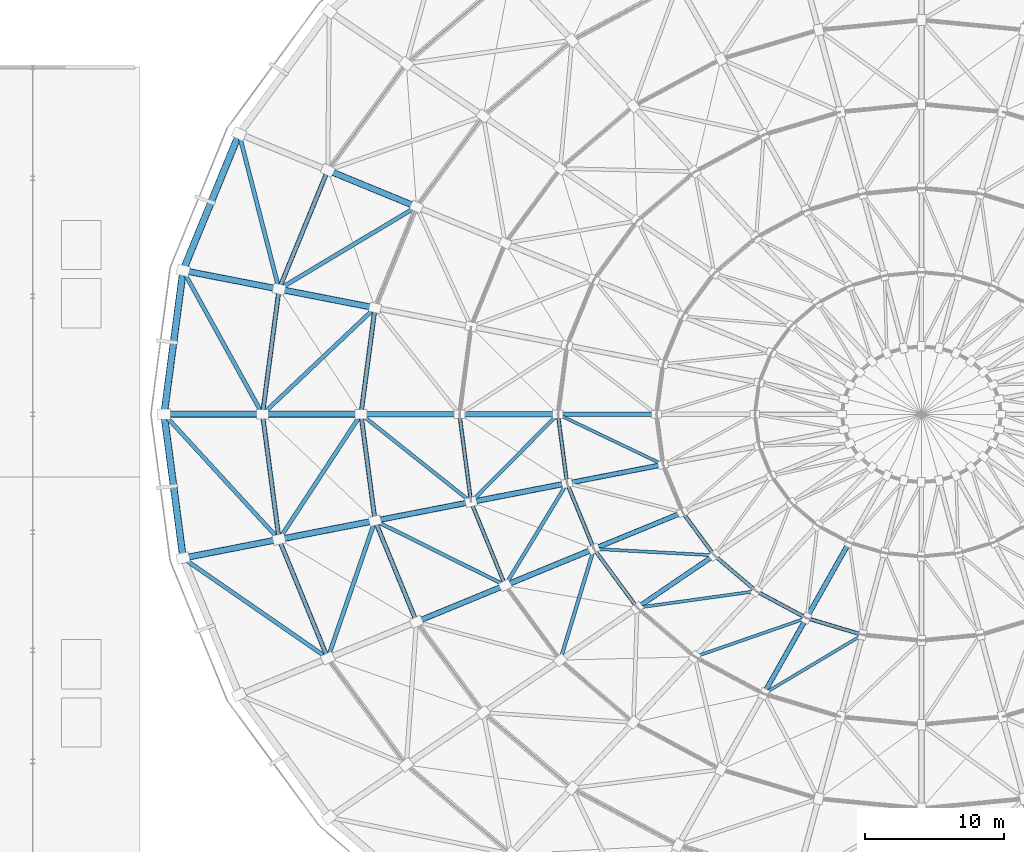
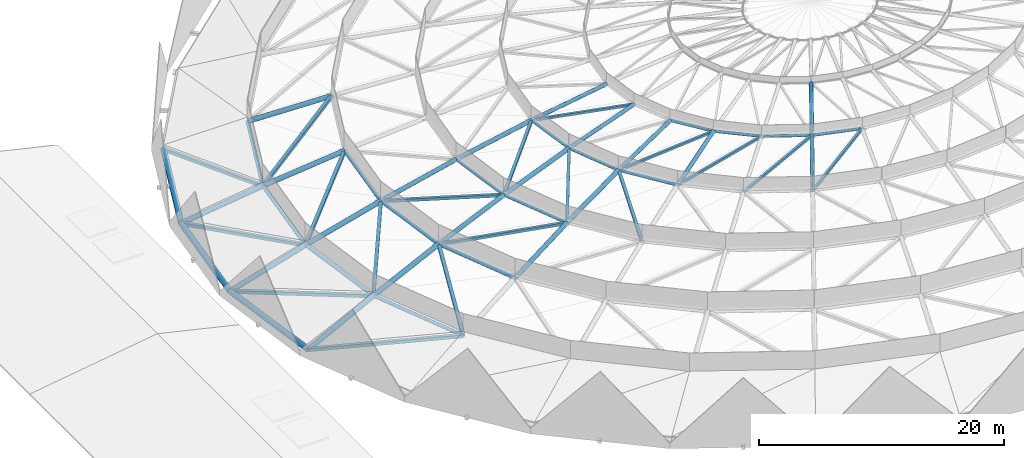
# One storey, part 6 of 27: 53 members, 3 beams.
"""IFC4 building model written with IfcOpenShell, lengths in metres."""

from ifc_helpers import new_model, si_unit, direction, frame, origin, origin_2d, place, context, subcontext, project, spatial, hollow_rectangle, hollow_circle, extrude, material, material_profile, profile_set, type_object, element, save


model = new_model("IFC4")

# Units and contexts
model_context = context("Model", 3, precision=1e-05, world=origin(), true_north=direction((0.0, 1.0)))
body_context = subcontext(model_context, "Body", "Model", "MODEL_VIEW")
ifc_project = project(units=[si_unit("LENGTHUNIT", "METRE"), si_unit("AREAUNIT", "SQUARE_METRE"), si_unit("VOLUMEUNIT", "CUBIC_METRE"), si_unit("PLANEANGLEUNIT", "RADIAN"), si_unit("MASSUNIT", "GRAM", prefix="KILO")], contexts=[model_context])

# Site, building, storey
site_placement = place(None, origin())
site = spatial("IfcSite", under=ifc_project, at=site_placement, CompositionType="ELEMENT")
building_placement = place(site_placement, origin())
building = spatial("IfcBuilding", under=site, at=building_placement, Name="Cuetzalor Civic Arena", CompositionType="ELEMENT")
storey_placement = place(building_placement, frame((0.0, 0.0, 31.800048828125)))
storey = spatial("IfcBuildingStorey", under=building, at=storey_placement, Name="Roof", CompositionType="ELEMENT", Elevation=31.800048828125)

# Members
ifc_material_1 = material(Name="Steel S355J2H", Category="steel")
ifc_material_profile_1 = material_profile(ifc_material_1, hollow_circle(Radius=0.136474609375, WallThickness=0.010009765625, at=origin_2d()), Name="CHS 273x10")
ifc_profile_set_1 = profile_set([ifc_material_profile_1], Name="Steel S355J2H")
member_type_1 = type_object("IfcMemberType", Name="DomeAnnularChord_CHS273", PredefinedType="CHORD", material=ifc_profile_set_1)
member_1_placement = place(storey_placement, frame((-33.275146484375, -0.001953125, 5.66650390625), z_axis=(0.130895721038, -0.99139614192, 0.0), x_axis=(0.99139614192, 0.130895721038, 0.0)))
element("IfcMember", 1, at=member_1_placement, inside=storey, type_object=member_type_1, Name="Dome Roof Truss Annular Ring Chord R3-S15", PredefinedType="CHORD", context=body_context, shape_type="SweptSolid", body=[
    extrude(hollow_circle(Radius=0.136474609375, WallThickness=0.010009765625, at=origin_2d()), origin(), (0.0, 0.0, 1.0), 6.369384765625),
])
member_2_placement = place(storey_placement, frame((-32.4404296875, -6.320556640625, 5.66650390625), z_axis=(0.379402610444, -0.925231678656, 0.0), x_axis=(0.925231678656, 0.379402610444, 0.0)))
element("IfcMember", 2, at=member_2_placement, inside=storey, type_object=member_type_1, Name="Dome Roof Truss Annular Ring Chord R3-S16", PredefinedType="CHORD", context=body_context, shape_type="SweptSolid", body=[
    extrude(hollow_circle(Radius=0.136474609375, WallThickness=0.010009765625, at=origin_2d()), origin(), (0.0, 0.0, 1.0), 6.482421875),
])
member_3_placement = place(storey_placement, frame((-26.18359375, -0.001953125, 7.077392578125), z_axis=(0.130861572844, -0.991400649966, 0.0), x_axis=(0.991400649966, 0.130861572844, 0.0)))
element("IfcMember", 3, at=member_3_placement, inside=storey, type_object=member_type_1, Name="Dome Roof Truss Annular Ring Chord R4-S15", PredefinedType="CHORD", context=body_context, shape_type="SweptSolid", body=[
    extrude(hollow_circle(Radius=0.136474609375, WallThickness=0.010009765625, at=origin_2d()), origin(), (0.0, 0.0, 1.0), 5.01123046875),
])
member_4_placement = place(storey_placement, frame((-25.526611328125, -4.973876953125, 7.077392578125), z_axis=(0.379357788908, -0.925250057009, 0.0), x_axis=(0.925250057009, 0.379357788908, 0.0)))
element("IfcMember", 4, at=member_4_placement, inside=storey, type_object=member_type_1, Name="Dome Roof Truss Annular Ring Chord R4-S16", PredefinedType="CHORD", context=body_context, shape_type="SweptSolid", body=[
    extrude(hollow_circle(Radius=0.136474609375, WallThickness=0.010009765625, at=origin_2d()), origin(), (0.0, 0.0, 1.0), 5.100341796875),
])
member_5_placement = place(storey_placement, frame((-23.58984375, -9.6962890625, 7.077392578125), z_axis=(0.592932877776, -0.805251887581, 0.0), x_axis=(0.805251887581, 0.592932877776, 0.0)))
element("IfcMember", 5, at=member_5_placement, inside=storey, type_object=member_type_1, Name="Dome Roof Truss Annular Ring Chord R4-S17", PredefinedType="CHORD", context=body_context, shape_type="SweptSolid", body=[
    extrude(hollow_circle(Radius=0.136474609375, WallThickness=0.010009765625, at=origin_2d()), origin(), (0.0, 0.0, 1.0), 5.25732421875),
])
member_6_placement = place(storey_placement, frame((-17.200439453125, -7.07080078125, 8.21044921875), z_axis=(0.592953433432, -0.805236751385, 0.0), x_axis=(0.805236751385, 0.592953433432, 0.0)))
element("IfcMember", 6, at=member_6_placement, inside=storey, type_object=member_type_1, Name="Dome Roof Truss Annular Ring Chord R5-S17", PredefinedType="CHORD", context=body_context, shape_type="SweptSolid", body=[
    extrude(hollow_circle(Radius=0.136474609375, WallThickness=0.010009765625, at=origin_2d()), origin(), (0.0, 0.0, 1.0), 3.83203125),
])
member_7_placement = place(storey_placement, frame((-14.925537109375, -10.159423828125, 8.21044921875), z_axis=(0.760648184235, -0.649164339609, 0.0), x_axis=(0.649164339609, 0.760648184235, 0.0)))
element("IfcMember", 7, at=member_7_placement, inside=storey, type_object=member_type_1, Name="Dome Roof Truss Annular Ring Chord R5-S18", PredefinedType="CHORD", context=body_context, shape_type="SweptSolid", body=[
    extrude(hollow_circle(Radius=0.136474609375, WallThickness=0.010009765625, at=origin_2d()), origin(), (0.0, 0.0, 1.0), 3.97021484375),
])
member_8_placement = place(storey_placement, frame((-11.902099609375, -12.739013671875, 8.21044921875), z_axis=(0.881319827537, -0.472520223472, 0.0), x_axis=(0.472520223472, 0.881319827537, 0.0)))
element("IfcMember", 8, at=member_8_placement, inside=storey, type_object=member_type_1, Name="Dome Roof Truss Annular Ring Chord R5-S19", PredefinedType="CHORD", context=body_context, shape_type="SweptSolid", body=[
    extrude(hollow_circle(Radius=0.136474609375, WallThickness=0.010009765625, at=origin_2d()), origin(), (0.0, 0.0, 1.0), 4.103515625),
])
member_9_placement = place(storey_placement, frame((-8.281982421875, -14.6796875, 8.21044921875), z_axis=(0.958207143597, -0.286075287224, 0.0), x_axis=(0.286075287224, 0.958207143597, 0.0)))
element("IfcMember", 9, at=member_9_placement, inside=storey, type_object=member_type_1, Name="Dome Roof Truss Annular Ring Chord R5-S20", PredefinedType="CHORD", context=body_context, shape_type="SweptSolid", body=[
    extrude(hollow_circle(Radius=0.136474609375, WallThickness=0.010009765625, at=origin_2d()), origin(), (0.0, 0.0, 1.0), 4.207275390625),
])
ifc_material_2 = material(Name="Steel S355J2H", Category="steel")
ifc_material_profile_2 = material_profile(ifc_material_2, hollow_circle(Radius=0.161865234375, WallThickness=0.012451171875, at=origin_2d()), Name="CHS 323.9x12.5")
ifc_profile_set_2 = profile_set([ifc_material_profile_2], Name="Steel S355J2H")
member_type_2 = type_object("IfcMemberType", Name="DomeAnnularChord_CHS323", PredefinedType="CHORD", material=ifc_profile_set_2)
member_10_placement = place(storey_placement, frame((-42.759521484375, 17.569580078125, 2.11083984375), z_axis=(-0.379388313987, -0.925237540965, 0.0), x_axis=(0.925237540965, -0.379388313987, 0.0)))
element("IfcMember", 10, at=member_10_placement, inside=storey, type_object=member_type_2, Name="Dome Roof Truss Annular Ring Chord R1-S13", PredefinedType="CHORD", context=body_context, shape_type="SweptSolid", body=[
    extrude(hollow_circle(Radius=0.161865234375, WallThickness=0.012451171875, at=origin_2d()), origin(), (0.0, 0.0, 1.0), 9.247314453125),
])
for number, where, z_axis, x_axis, name in (
    (11, (-46.268798828125, 9.009765625, 2.11083984375), (-0.130910465055, -0.991394195131, 0.0), (0.991394195131, -0.130910465055, 0.0), "Dome Roof Truss Annular Ring Chord R1-S14"),
    (12, (-47.458251953125, -0.001953125, 2.11083984375), (0.130910465055, -0.991394195131, 0.0), (0.991394195131, 0.130910465055, 0.0), "Dome Roof Truss Annular Ring Chord R1-S15"),
):
    element("IfcMember", number, at=place(storey_placement, frame(where, z_axis=z_axis, x_axis=x_axis)), inside=storey, type_object=member_type_2, Name=name, PredefinedType="CHORD", context=body_context, shape_type="SweptSolid", body=[
        extrude(hollow_circle(Radius=0.161865234375, WallThickness=0.012451171875, at=origin_2d()), origin(), (0.0, 0.0, 1.0), 9.0859375),
    ])
member_11_placement = place(storey_placement, frame((-46.267822265625, -9.013671875, 2.11083984375), z_axis=(0.379388313987, -0.925237540965, 0.0), x_axis=(0.925237540965, 0.379388313987, 0.0)))
element("IfcMember", 13, at=member_11_placement, inside=storey, type_object=member_type_2, Name="Dome Roof Truss Annular Ring Chord R1-S16", PredefinedType="CHORD", context=body_context, shape_type="SweptSolid", body=[
    extrude(hollow_circle(Radius=0.161865234375, WallThickness=0.012451171875, at=origin_2d()), origin(), (0.0, 0.0, 1.0), 9.247314453125),
])
for number, where, z_axis, x_axis, name in (
    (14, (-39.355224609375, 7.6630859375, 4.004638671875), (-0.130890912875, -0.991396776738, 0.0), (0.991396776738, -0.130890912875, 0.0), "Dome Roof Truss Annular Ring Chord R2-S14"),
    (15, (-40.36669921875, -0.001953125, 4.004638671875), (0.130890912875, -0.991396776738, 0.0), (0.991396776738, 0.130890912875, 0.0), "Dome Roof Truss Annular Ring Chord R2-S15"),
):
    element("IfcMember", number, at=place(storey_placement, frame(where, z_axis=z_axis, x_axis=x_axis)), inside=storey, type_object=member_type_2, Name=name, PredefinedType="CHORD", context=body_context, shape_type="SweptSolid", body=[
        extrude(hollow_circle(Radius=0.161865234375, WallThickness=0.012451171875, at=origin_2d()), origin(), (0.0, 0.0, 1.0), 7.7275390625),
    ])
member_12_placement = place(storey_placement, frame((-39.35400390625, -7.6669921875, 4.004638671875), z_axis=(0.379383309486, -0.925239593016, 0.0), x_axis=(0.925239593016, 0.379383309486, 0.0)))
element("IfcMember", 16, at=member_12_placement, inside=storey, type_object=member_type_2, Name="Dome Roof Truss Annular Ring Chord R2-S16", PredefinedType="CHORD", context=body_context, shape_type="SweptSolid", body=[
    extrude(hollow_circle(Radius=0.161865234375, WallThickness=0.012451171875, at=origin_2d()), origin(), (0.0, 0.0, 1.0), 7.864990234375),
])
ifc_material_3 = material(Name="Steel S355J2H", Category="steel")
ifc_material_profile_3 = material_profile(ifc_material_3, hollow_rectangle(XDim=0.219970703125, YDim=0.219970703125, WallThickness=0.010009765625, at=origin_2d()), Name="RHS 220x220x10")
ifc_profile_set_3 = profile_set([ifc_material_profile_3], Name="Steel S355J2H")
member_type_3 = type_object("IfcMemberType", Name="DomeLamellaStrut_RHS220", PredefinedType="STRUT", material=ifc_profile_set_3)
member_13_placement = place(storey_placement, frame((-26.18212890625, -0.0009765625, 7.07763671875), z_axis=(0.893811596304, -0.42803057827, 0.133755950816), x_axis=(0.431911605773, 0.901915941094, 0.0)))
element("IfcMember", 17, at=member_13_placement, inside=storey, type_object=member_type_3, Name="Dome Roof Truss Lamella Strut R5-S15", PredefinedType="STRUT", context=body_context, shape_type="SweptSolid", body=[
    extrude(hollow_rectangle(XDim=0.219970703125, YDim=0.219970703125, WallThickness=0.010009765625, at=origin_2d()), origin(), (0.0, 0.0, 1.0), 8.465576171875),
])
member_14_placement = place(storey_placement, frame((-23.589111328125, -9.69482421875, 7.07763671875), z_axis=(0.990166981795, -0.052982349848, 0.129468987668), x_axis=(0.053432062315, 0.998571487034, 0.0)))
element("IfcMember", 18, at=member_14_placement, inside=storey, type_object=member_type_3, Name="Dome Roof Truss Lamella Strut R5-S17", PredefinedType="STRUT", context=body_context, shape_type="SweptSolid", body=[
    extrude(hollow_rectangle(XDim=0.219970703125, YDim=0.219970703125, WallThickness=0.010009765625, at=origin_2d()), origin(), (0.0, 0.0, 1.0), 8.745849609375),
])
member_15_placement = place(storey_placement, frame((-20.469482421875, -13.930908203125, 7.07763671875), z_axis=(0.98205492051, 0.136769822291, 0.129854336906), x_axis=(-0.137937729844, 0.990440903177, 0.0)))
element("IfcMember", 19, at=member_15_placement, inside=storey, type_object=member_type_3, Name="Dome Roof Truss Lamella Strut R5-S18", PredefinedType="STRUT", context=body_context, shape_type="SweptSolid", body=[
    extrude(hollow_rectangle(XDim=0.219970703125, YDim=0.219970703125, WallThickness=0.010009765625, at=origin_2d()), origin(), (0.0, 0.0, 1.0), 8.719970703125),
])
member_16_placement = place(storey_placement, frame((-16.323486328125, -17.468505859375, 7.07763671875), z_axis=(0.936488862562, 0.324935067039, 0.131931089987), x_axis=(-0.327800406368, 0.944746999776, 0.0)))
element("IfcMember", 20, at=member_16_placement, inside=storey, type_object=member_type_3, Name="Dome Roof Truss Lamella Strut R5-S19", PredefinedType="STRUT", context=body_context, shape_type="SweptSolid", body=[
    extrude(hollow_rectangle(XDim=0.219970703125, YDim=0.219970703125, WallThickness=0.010009765625, at=origin_2d()), origin(), (0.0, 0.0, 1.0), 8.582763671875),
])
member_17_placement = place(storey_placement, frame((-11.359130859375, -20.130126953125, 7.07763671875), z_axis=(0.850650562001, 0.50797142565, 0.135494103529), x_axis=(-0.512699461786, 0.858568146325, 0.0)))
element("IfcMember", 21, at=member_17_placement, inside=storey, type_object=member_type_3, Name="Dome Roof Truss Lamella Strut R5-S20", PredefinedType="STRUT", context=body_context, shape_type="SweptSolid", body=[
    extrude(hollow_rectangle(XDim=0.219970703125, YDim=0.219970703125, WallThickness=0.010009765625, at=origin_2d()), origin(), (0.0, 0.0, 1.0), 8.35693359375),
])
ifc_material_4 = material(Name="Steel S355J2H", Category="steel")
ifc_material_profile_4 = material_profile(ifc_material_4, hollow_rectangle(XDim=0.260009765625, YDim=0.260009765625, WallThickness=0.012451171875, at=origin_2d()), Name="RHS 260x260x12.5")
ifc_profile_set_4 = profile_set([ifc_material_profile_4], Name="Steel S355J2H")
member_type_4 = type_object("IfcMemberType", Name="DomeLamellaStrut_RHS260", PredefinedType="STRUT", material=ifc_profile_set_4)
member_18_placement = place(storey_placement, frame((-40.365478515625, -0.001220703125, 4.0048828125), z_axis=(0.771628690901, -0.6151487077, 0.161806151904), x_axis=(0.623363035345, 0.781932558579, 0.0)))
element("IfcMember", 22, at=member_18_placement, inside=storey, type_object=member_type_4, Name="Dome Roof Truss Lamella Strut R3-S15", PredefinedType="STRUT", context=body_context, shape_type="SweptSolid", body=[
    extrude(hollow_rectangle(XDim=0.260009765625, YDim=0.260009765625, WallThickness=0.012451171875, at=origin_2d()), origin(), (0.0, 0.0, 1.0), 10.267578125),
])
member_19_placement = place(storey_placement, frame((-39.35302734375, -7.666015625, 4.0048828125), z_axis=(0.884573533449, -0.439244777708, 0.156823751957), x_axis=(0.444747818156, 0.895655836941, 0.0)))
element("IfcMember", 23, at=member_19_placement, inside=storey, type_object=member_type_4, Name="Dome Roof Truss Lamella Strut R3-S16", PredefinedType="STRUT", context=body_context, shape_type="SweptSolid", body=[
    extrude(hollow_rectangle(XDim=0.260009765625, YDim=0.260009765625, WallThickness=0.012451171875, at=origin_2d()), origin(), (0.0, 0.0, 1.0), 10.593994140625),
])
member_20_placement = place(storey_placement, frame((-32.439697265625, -6.317138671875, 5.666748046875), z_axis=(0.694956680159, 0.701765725624, 0.156716556377), x_axis=(-0.710545495474, 0.703651262247, 0.0)))
element("IfcMember", 24, at=member_20_placement, inside=storey, type_object=member_type_4, Name="Dome Roof Truss Lamella Strut R4-S16", PredefinedType="STRUT", context=body_context, shape_type="SweptSolid", body=[
    extrude(hollow_rectangle(XDim=0.260009765625, YDim=0.260009765625, WallThickness=0.012451171875, at=origin_2d()), origin(), (0.0, 0.0, 1.0), 8.999755859375),
])
member_21_placement = place(storey_placement, frame((-29.979248046875, -12.318603515625, 5.666748046875), z_axis=(0.511382307273, 0.843935091295, 0.162054612678), x_axis=(-0.855239830351, 0.518232411743, 0.0)))
element("IfcMember", 25, at=member_21_placement, inside=storey, type_object=member_type_4, Name="Dome Roof Truss Lamella Strut R4-S17", PredefinedType="STRUT", context=body_context, shape_type="SweptSolid", body=[
    extrude(hollow_rectangle(XDim=0.260009765625, YDim=0.260009765625, WallThickness=0.012451171875, at=origin_2d()), origin(), (0.0, 0.0, 1.0), 8.703125),
])
member_22_placement = place(storey_placement, frame((-26.01513671875, -17.702392578125, 5.666748046875), z_axis=(0.285707890654, 0.943782930424, 0.166267198983), x_axis=(-0.957105129085, 0.289740870225, 0.0)))
element("IfcMember", 26, at=member_22_placement, inside=storey, type_object=member_type_4, Name="Dome Roof Truss Lamella Strut R4-S18", PredefinedType="STRUT", context=body_context, shape_type="SweptSolid", body=[
    extrude(hollow_rectangle(XDim=0.260009765625, YDim=0.260009765625, WallThickness=0.012451171875, at=origin_2d()), origin(), (0.0, 0.0, 1.0), 8.482666015625),
])
ifc_material_5 = material(Name="Steel S355J2H", Category="steel")
ifc_material_profile_5 = material_profile(ifc_material_5, hollow_rectangle(XDim=0.300048828125, YDim=0.300048828125, WallThickness=0.013916015625, at=origin_2d()), Name="RHS 300x300x14")
ifc_profile_set_5 = profile_set([ifc_material_profile_5], Name="Steel S355J2H")
member_type_5 = type_object("IfcMemberType", Name="DomeLamellaStrut_RHS300", PredefinedType="STRUT", material=ifc_profile_set_5)
member_23_placement = place(storey_placement, frame((-49.1474609375, 20.1953125, 0.000244140625), z_axis=(0.245233469276, -0.952645707619, 0.17979627722), x_axis=(0.968427327786, 0.24929603045, 0.0)))
element("IfcMember", 27, at=member_23_placement, inside=storey, type_object=member_type_5, Name="Dome Roof Truss Lamella Strut R1-S13", PredefinedType="STRUT", context=body_context, shape_type="SweptSolid", body=[
    extrude(hollow_rectangle(XDim=0.300048828125, YDim=0.300048828125, WallThickness=0.013916015625, at=origin_2d()), origin(), (0.0, 0.0, 1.0), 11.737548828125),
])
member_24_placement = place(storey_placement, frame((-53.181396484375, 10.356689453125, 0.000244140625), z_axis=(0.476133762571, -0.8616605114, 0.175606956678), x_axis=(0.875261765766, 0.483649502623, 0.0)))
element("IfcMember", 28, at=member_24_placement, inside=storey, type_object=member_type_5, Name="Dome Roof Truss Lamella Strut R1-S14", PredefinedType="STRUT", context=body_context, shape_type="SweptSolid", body=[
    extrude(hollow_rectangle(XDim=0.300048828125, YDim=0.300048828125, WallThickness=0.013916015625, at=origin_2d()), origin(), (0.0, 0.0, 1.0), 12.017578125),
])
member_25_placement = place(storey_placement, frame((-54.548583984375, -0.00146484375, 0.000244140625), z_axis=(0.666788666422, -0.725603874811, 0.169976148885), x_axis=(0.736318653811, 0.676634938538, 0.0)))
element("IfcMember", 29, at=member_25_placement, inside=storey, type_object=member_type_5, Name="Dome Roof Truss Lamella Strut R1-S15", PredefinedType="STRUT", context=body_context, shape_type="SweptSolid", body=[
    extrude(hollow_rectangle(XDim=0.300048828125, YDim=0.300048828125, WallThickness=0.013916015625, at=origin_2d()), origin(), (0.0, 0.0, 1.0), 12.41552734375),
])
member_26_placement = place(storey_placement, frame((-53.1806640625, -10.359375, 0.000244140625), z_axis=(0.811130323204, -0.56132225192, 0.164270899062), x_axis=(0.56905268277, 0.822301066661, 0.0)))
element("IfcMember", 30, at=member_26_placement, inside=storey, type_object=member_type_5, Name="Dome Roof Truss Lamella Strut R1-S16", PredefinedType="STRUT", context=body_context, shape_type="SweptSolid", body=[
    extrude(hollow_rectangle(XDim=0.300048828125, YDim=0.300048828125, WallThickness=0.013916015625, at=origin_2d()), origin(), (0.0, 0.0, 1.0), 12.8466796875),
])
member_27_placement = place(storey_placement, frame((-46.266845703125, 9.0126953125, 2.111328125), z_axis=(0.846370119879, 0.507387746847, 0.161911378618), x_axis=(-0.51417209195, 0.857687040743, 0.0)))
element("IfcMember", 31, at=member_27_placement, inside=storey, type_object=member_type_5, Name="Dome Roof Truss Lamella Strut R2-S14", PredefinedType="STRUT", context=body_context, shape_type="SweptSolid", body=[
    extrude(hollow_rectangle(XDim=0.300048828125, YDim=0.300048828125, WallThickness=0.013916015625, at=origin_2d()), origin(), (0.0, 0.0, 1.0), 11.69189453125),
])
member_28_placement = place(storey_placement, frame((-47.45703125, 0.00146484375, 2.111328125), z_axis=(0.716246178214, 0.677477662012, 0.167378103911), x_axis=(-0.687171746172, 0.726495004293, 0.0)))
element("IfcMember", 32, at=member_28_placement, inside=storey, type_object=member_type_5, Name="Dome Roof Truss Lamella Strut R2-S15", PredefinedType="STRUT", context=body_context, shape_type="SweptSolid", body=[
    extrude(hollow_rectangle(XDim=0.300048828125, YDim=0.300048828125, WallThickness=0.013916015625, at=origin_2d()), origin(), (0.0, 0.0, 1.0), 11.31005859375),
])
member_29_placement = place(storey_placement, frame((-46.267578125, -9.01025390625, 2.111328125), z_axis=(0.539574030844, 0.823942317667, 0.173144224266), x_axis=(-0.836577583383, 0.547848470822, 0.0)))
element("IfcMember", 33, at=member_29_placement, inside=storey, type_object=member_type_5, Name="Dome Roof Truss Lamella Strut R2-S16", PredefinedType="STRUT", context=body_context, shape_type="SweptSolid", body=[
    extrude(hollow_rectangle(XDim=0.300048828125, YDim=0.300048828125, WallThickness=0.013916015625, at=origin_2d()), origin(), (0.0, 0.0, 1.0), 10.933349609375),
])
member_30_placement = place(storey_placement, frame((-42.758056640625, -17.569580078125, 2.111328125), z_axis=(0.319775108944, 0.930644915969, 0.177887380329), x_axis=(-0.945728479164, 0.324957910656, 0.0)))
element("IfcMember", 34, at=member_30_placement, inside=storey, type_object=member_type_5, Name="Dome Roof Truss Lamella Strut R2-S17", PredefinedType="STRUT", context=body_context, shape_type="SweptSolid", body=[
    extrude(hollow_rectangle(XDim=0.300048828125, YDim=0.300048828125, WallThickness=0.013916015625, at=origin_2d()), origin(), (0.0, 0.0, 1.0), 10.640625),
])
ifc_material_6 = material(Name="Steel S355J2H", Category="steel")
ifc_material_profile_6 = material_profile(ifc_material_6, hollow_circle(Radius=0.177734375, WallThickness=0.01416015625, at=origin_2d()), Name="CHS 355.6x14.2")
ifc_profile_set_6 = profile_set([ifc_material_profile_6], Name="Steel S355J2H")
member_type_6 = type_object("IfcMemberType", Name="DomeRadialChord_CHS355", PredefinedType="CHORD", material=ifc_profile_set_6)
member_31_placement = place(storey_placement, frame((-26.181884765625, 0.0, 7.07763671875), z_axis=(0.987476691492, 0.0, 0.157764963663), x_axis=(0.0, 1.0, 0.0)))
element("IfcMember", 35, at=member_31_placement, inside=storey, type_object=member_type_6, Name="Dome Roof Truss Radial Chord R5-S15", PredefinedType="CHORD", context=body_context, shape_type="SweptSolid", body=[
    extrude(hollow_circle(Radius=0.177734375, WallThickness=0.01416015625, at=origin_2d()), origin(), (0.0, 0.0, 1.0), 7.17724609375),
])
member_32_placement = place(storey_placement, frame((-25.525634765625, -4.9716796875, 7.07763671875), z_axis=(0.969096700352, 0.188765505743, 0.158805444519), x_axis=(-0.191191748916, 0.98155270625, 0.0)))
element("IfcMember", 36, at=member_32_placement, inside=storey, type_object=member_type_6, Name="Dome Roof Truss Radial Chord R5-S16", PredefinedType="CHORD", context=body_context, shape_type="SweptSolid", body=[
    extrude(hollow_circle(Radius=0.177734375, WallThickness=0.01416015625, at=origin_2d()), origin(), (0.0, 0.0, 1.0), 7.13037109375),
])
member_33_placement = place(storey_placement, frame((-23.589111328125, -9.69384765625, 7.07763671875), z_axis=(0.912752107468, 0.375081615411, 0.161856022727), x_axis=(-0.380093380884, 0.924948118442, 0.0)))
element("IfcMember", 37, at=member_33_placement, inside=storey, type_object=member_type_6, Name="Dome Roof Truss Radial Chord R5-S17", PredefinedType="CHORD", context=body_context, shape_type="SweptSolid", body=[
    extrude(hollow_circle(Radius=0.177734375, WallThickness=0.01416015625, at=origin_2d()), origin(), (0.0, 0.0, 1.0), 6.995849609375),
])
member_34_placement = place(storey_placement, frame((-20.469970703125, -13.93017578125, 7.07763671875), z_axis=(0.815172115718, 0.554749460254, 0.166575682808), x_axis=(-0.562609867277, 0.826722527359, 0.0)))
element("IfcMember", 38, at=member_34_placement, inside=storey, type_object=member_type_6, Name="Dome Roof Truss Radial Chord R5-S18", PredefinedType="CHORD", context=body_context, shape_type="SweptSolid", body=[
    extrude(hollow_circle(Radius=0.177734375, WallThickness=0.01416015625, at=origin_2d()), origin(), (0.0, 0.0, 1.0), 6.797607421875),
])
member_35_placement = place(storey_placement, frame((-11.35986328125, -20.12939453125, 7.07763671875), z_axis=(0.483623115844, 0.856967105948, 0.178090036624), x_axis=(-0.870888965852, 0.491479815615, 0.0)))
element("IfcMember", 39, at=member_35_placement, inside=storey, type_object=member_type_6, Name="Dome Roof Truss Radial Chord R5-S20", PredefinedType="CHORD", context=body_context, shape_type="SweptSolid", body=[
    extrude(hollow_circle(Radius=0.177734375, WallThickness=0.01416015625, at=origin_2d()), origin(), (0.0, 0.0, 1.0), 6.358154296875),
])
member_36_placement = place(storey_placement, frame((-8.282958984375, -14.67724609375, 8.210693359375), z_axis=(0.487413827031, 0.863684143841, 0.128364562466), x_axis=(-0.870888965852, 0.491479815615, 0.0)))
element("IfcMember", 40, at=member_36_placement, inside=storey, type_object=member_type_6, Name="Dome Roof Truss Radial Chord R6-S20", PredefinedType="CHORD", context=body_context, shape_type="SweptSolid", body=[
    extrude(hollow_circle(Radius=0.177734375, WallThickness=0.01416015625, at=origin_2d()), origin(), (0.0, 0.0, 1.0), 6.30859375),
])
ifc_material_7 = material(Name="Steel S355J2H", Category="steel")
ifc_material_profile_7 = material_profile(ifc_material_7, hollow_circle(Radius=0.202880859375, WallThickness=0.01611328125, at=origin_2d()), Name="CHS 406x16")
ifc_profile_set_7 = profile_set([ifc_material_profile_7], Name="Steel S355J2H")
member_type_7 = type_object("IfcMemberType", Name="DomeRadialChord_CHS406", PredefinedType="CHORD", material=ifc_profile_set_7)
member_37_placement = place(storey_placement, frame((-40.364990234375, 0.0, 4.005126953125), z_axis=(0.973624808729, 0.0, 0.228155060927), x_axis=(0.0, 1.0, 0.0)))
element("IfcMember", 41, at=member_37_placement, inside=storey, type_object=member_type_7, Name="Dome Roof Truss Radial Chord R3-S15", PredefinedType="CHORD", context=body_context, shape_type="SweptSolid", body=[
    extrude(hollow_circle(Radius=0.202880859375, WallThickness=0.01611328125, at=origin_2d()), origin(), (0.0, 0.0, 1.0), 7.279541015625),
])
member_38_placement = place(storey_placement, frame((-39.35302734375, -7.664794921875, 4.005126953125), z_axis=(0.955330824521, 0.186050365854, 0.229626385868), x_axis=(-0.191158336127, 0.98155921397, 0.0)))
element("IfcMember", 42, at=member_38_placement, inside=storey, type_object=member_type_7, Name="Dome Roof Truss Radial Chord R3-S16", PredefinedType="CHORD", context=body_context, shape_type="SweptSolid", body=[
    extrude(hollow_circle(Radius=0.202880859375, WallThickness=0.01611328125, at=origin_2d()), origin(), (0.0, 0.0, 1.0), 7.23291015625),
])
member_39_placement = place(storey_placement, frame((-36.36767578125, -14.9453125, 4.005126953125), z_axis=(0.899284049236, 0.369567374416, 0.233897743805), x_axis=(-0.380111202168, 0.924940794855, 0.0)))
element("IfcMember", 43, at=member_39_placement, inside=storey, type_object=member_type_7, Name="Dome Roof Truss Radial Chord R3-S17", PredefinedType="CHORD", context=body_context, shape_type="SweptSolid", body=[
    extrude(hollow_circle(Radius=0.202880859375, WallThickness=0.01611328125, at=origin_2d()), origin(), (0.0, 0.0, 1.0), 7.100830078125),
])
member_40_placement = place(storey_placement, frame((-33.2734375, 0.0, 5.666748046875), z_axis=(0.980775104176, 0.0, 0.195141474396), x_axis=(0.0, 1.0, 0.0)))
element("IfcMember", 44, at=member_40_placement, inside=storey, type_object=member_type_7, Name="Dome Roof Truss Radial Chord R4-S15", PredefinedType="CHORD", context=body_context, shape_type="SweptSolid", body=[
    extrude(hollow_circle(Radius=0.202880859375, WallThickness=0.01611328125, at=origin_2d()), origin(), (0.0, 0.0, 1.0), 7.226318359375),
])
member_41_placement = place(storey_placement, frame((-32.439208984375, -6.318115234375, 5.666748046875), z_axis=(0.96243984419, 0.187434845111, 0.196412130871), x_axis=(-0.191158336127, 0.98155921397, 0.0)))
element("IfcMember", 45, at=member_41_placement, inside=storey, type_object=member_type_7, Name="Dome Roof Truss Radial Chord R4-S16", PredefinedType="CHORD", context=body_context, shape_type="SweptSolid", body=[
    extrude(hollow_circle(Radius=0.202880859375, WallThickness=0.01611328125, at=origin_2d()), origin(), (0.0, 0.0, 1.0), 7.1796875),
])
member_42_placement = place(storey_placement, frame((-29.978515625, -12.319580078125, 5.666748046875), z_axis=(0.906230193855, 0.372421943483, 0.200121792312), x_axis=(-0.380111202168, 0.924940794855, 0.0)))
element("IfcMember", 46, at=member_42_placement, inside=storey, type_object=member_type_7, Name="Dome Roof Truss Radial Chord R4-S17", PredefinedType="CHORD", context=body_context, shape_type="SweptSolid", body=[
    extrude(hollow_circle(Radius=0.202880859375, WallThickness=0.01611328125, at=origin_2d()), origin(), (0.0, 0.0, 1.0), 7.04638671875),
])
ifc_material_8 = material(Name="Steel S355J2H", Category="steel")
ifc_material_profile_8 = material_profile(ifc_material_8, hollow_circle(Radius=0.228515625, WallThickness=0.01611328125, at=origin_2d()), Name="CHS 457x16")
ifc_profile_set_8 = profile_set([ifc_material_profile_8], Name="Steel S355J2H")
member_type_8 = type_object("IfcMemberType", Name="DomeRadialChord_CHS457", PredefinedType="CHORD", material=ifc_profile_set_8)
member_43_placement = place(storey_placement, frame((-53.180419921875, 10.35791015625, 0.00048828125), z_axis=(0.940238753322, -0.18311118992, 0.287091237897), x_axis=(0.191158336127, 0.98155921397, 0.0)))
element("IfcMember", 47, at=member_43_placement, inside=storey, type_object=member_type_8, Name="Dome Roof Truss Radial Chord R1-S14", PredefinedType="CHORD", context=body_context, shape_type="SweptSolid", body=[
    extrude(hollow_circle(Radius=0.228515625, WallThickness=0.01611328125, at=origin_2d()), origin(), (0.0, 0.0, 1.0), 7.34912109375),
])
member_44_placement = place(storey_placement, frame((-54.548095703125, 0.0, 0.00048828125), z_axis=(0.958435636364, 0.0, 0.285308834331), x_axis=(0.0, 1.0, 0.0)))
element("IfcMember", 48, at=member_44_placement, inside=storey, type_object=member_type_8, Name="Dome Roof Truss Radial Chord R1-S15", PredefinedType="CHORD", context=body_context, shape_type="SweptSolid", body=[
    extrude(hollow_circle(Radius=0.228515625, WallThickness=0.01611328125, at=origin_2d()), origin(), (0.0, 0.0, 1.0), 7.39501953125),
])
member_45_placement = place(storey_placement, frame((-53.180419921875, -10.35791015625, 0.00048828125), z_axis=(0.940238753322, 0.18311118992, 0.287091237897), x_axis=(-0.191158336127, 0.98155921397, 0.0)))
element("IfcMember", 49, at=member_45_placement, inside=storey, type_object=member_type_8, Name="Dome Roof Truss Radial Chord R1-S16", PredefinedType="CHORD", context=body_context, shape_type="SweptSolid", body=[
    extrude(hollow_circle(Radius=0.228515625, WallThickness=0.01611328125, at=origin_2d()), origin(), (0.0, 0.0, 1.0), 7.34912109375),
])
member_46_placement = place(storey_placement, frame((-42.7568359375, 17.57080078125, 2.111572265625), z_axis=(0.892042204151, -0.366557180387, 0.264379536878), x_axis=(0.380080948416, 0.924953227277, 0.0)))
element("IfcMember", 50, at=member_46_placement, inside=storey, type_object=member_type_8, Name="Dome Roof Truss Radial Chord R2-S13", PredefinedType="CHORD", context=body_context, shape_type="SweptSolid", body=[
    extrude(hollow_circle(Radius=0.228515625, WallThickness=0.01611328125, at=origin_2d()), origin(), (0.0, 0.0, 1.0), 7.158447265625),
])
member_47_placement = place(storey_placement, frame((-46.2666015625, 9.011474609375, 2.111572265625), z_axis=(0.947895531708, -0.184635836, 0.259622165912), x_axis=(0.191191748916, 0.98155270625, 0.0)))
element("IfcMember", 51, at=member_47_placement, inside=storey, type_object=member_type_8, Name="Dome Roof Truss Radial Chord R2-S14", PredefinedType="CHORD", context=body_context, shape_type="SweptSolid", body=[
    extrude(hollow_circle(Radius=0.228515625, WallThickness=0.01611328125, at=origin_2d()), origin(), (0.0, 0.0, 1.0), 7.289794921875),
])
member_48_placement = place(storey_placement, frame((-47.45654296875, 0.0, 2.111572265625), z_axis=(0.966148716871, 0.0, 0.257985768771), x_axis=(0.0, 1.0, 0.0)))
element("IfcMember", 52, at=member_48_placement, inside=storey, type_object=member_type_8, Name="Dome Roof Truss Radial Chord R2-S15", PredefinedType="CHORD", context=body_context, shape_type="SweptSolid", body=[
    extrude(hollow_circle(Radius=0.228515625, WallThickness=0.01611328125, at=origin_2d()), origin(), (0.0, 0.0, 1.0), 7.3359375),
])
member_49_placement = place(storey_placement, frame((-46.2666015625, -9.011474609375, 2.111572265625), z_axis=(0.947895531708, 0.184635836, 0.259622165912), x_axis=(-0.191191748916, 0.98155270625, 0.0)))
element("IfcMember", 53, at=member_49_placement, inside=storey, type_object=member_type_8, Name="Dome Roof Truss Radial Chord R2-S16", PredefinedType="CHORD", context=body_context, shape_type="SweptSolid", body=[
    extrude(hollow_circle(Radius=0.228515625, WallThickness=0.01611328125, at=origin_2d()), origin(), (0.0, 0.0, 1.0), 7.289794921875),
])

# Beams
ifc_material_9 = material(Name="Steel S355J2H", Category="steel")
ifc_material_profile_9 = material_profile(ifc_material_9, hollow_circle(Radius=0.25390625, WallThickness=0.02001953125, at=origin_2d()), Name="CHS 508x20")
ifc_profile_set_9 = profile_set([ifc_material_profile_9], Name="Steel S355J2H")
beam_type = type_object("IfcBeamType", Name="SteelDomeRingBeam_CHS508", PredefinedType="BEAM", material=ifc_profile_set_9)
beam_placement = place(storey_placement, frame((-49.148681640625, 20.1953125, 0.0), z_axis=(-0.379375892559, -0.925242634202, 0.0), x_axis=(0.925242634202, -0.379375892559, 0.0)))
element("IfcBeam", 54, at=beam_placement, inside=storey, type_object=beam_type, Name="Arena Dome Perimeter Tension Ring Beam S13", PredefinedType="BEAM", context=body_context, shape_type="SweptSolid", body=[
    extrude(hollow_circle(Radius=0.25390625, WallThickness=0.02001953125, at=origin_2d()), origin(), (0.0, 0.0, 1.0), 10.6298828125),
])
for number, where, z_axis, x_axis, name in (
    (55, (-53.1826171875, 10.356201171875, 0.0), (-0.13090499024, -0.991394918047, 0.0), (0.991394918047, -0.13090499024, 0.0), "Arena Dome Perimeter Tension Ring Beam S14"),
    (56, (-54.5498046875, -0.001953125, 0.0), (0.13090499024, -0.991394918047, 0.0), (0.991394918047, 0.13090499024, 0.0), "Arena Dome Perimeter Tension Ring Beam S15"),
):
    element("IfcBeam", number, at=place(storey_placement, frame(where, z_axis=z_axis, x_axis=x_axis)), inside=storey, type_object=beam_type, Name=name, PredefinedType="BEAM", context=body_context, shape_type="SweptSolid", body=[
        extrude(hollow_circle(Radius=0.25390625, WallThickness=0.02001953125, at=origin_2d()), origin(), (0.0, 0.0, 1.0), 10.444091796875),
    ])

save(model, "model.ifc")
